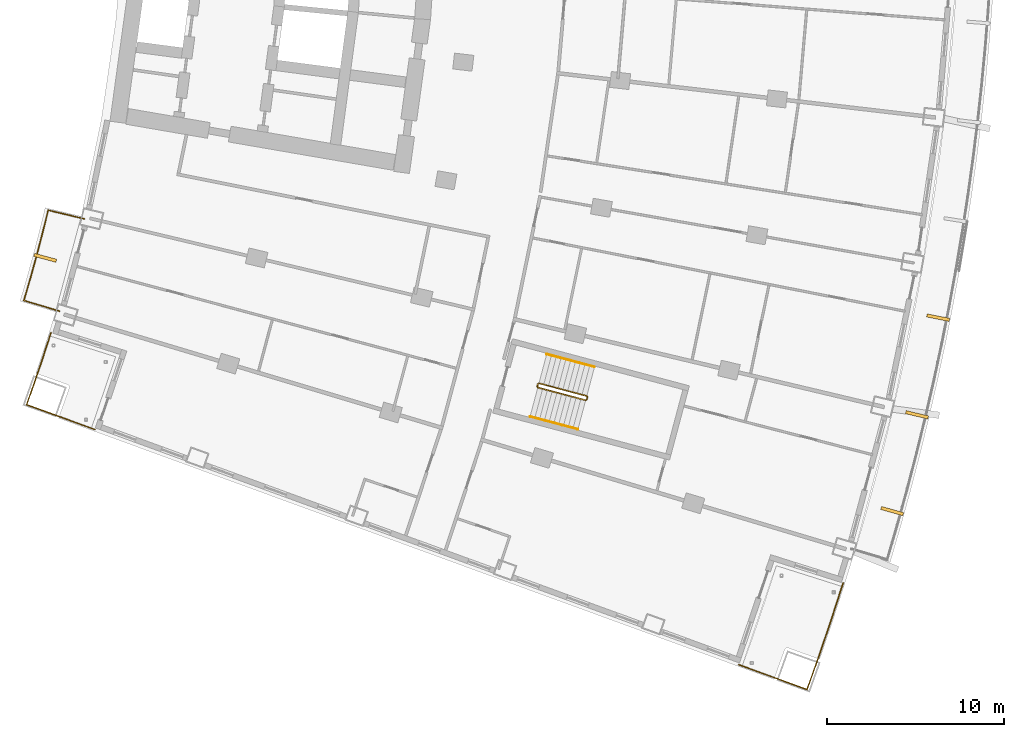
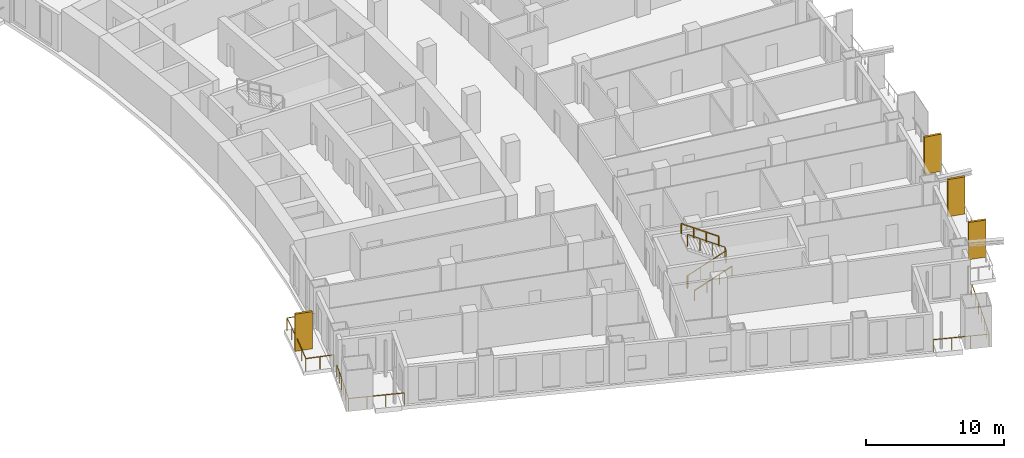
# One storey, part 23 of 25: 6 railings, 4 shading devices.
"""IFC4 building model written with IfcOpenShell, lengths in metres."""

from ifc_helpers import new_model, si_unit, direction, frame, origin, origin_2d, place, context, subcontext, project, spatial, rectangle, extrude, material, layer, layer_set, type_object, element, save


model = new_model("IFC4")

# Units and contexts
model_context = context("Model", 3, precision=1e-05, world=origin(), true_north=direction((0.0, 1.0)))
body_context = subcontext(model_context, "Body", "Model", "MODEL_VIEW")
ifc_project = project(units=[si_unit("LENGTHUNIT", "METRE"), si_unit("AREAUNIT", "SQUARE_METRE"), si_unit("VOLUMEUNIT", "CUBIC_METRE"), si_unit("PLANEANGLEUNIT", "RADIAN"), si_unit("MASSUNIT", "GRAM", prefix="KILO")], contexts=[model_context])

# Site, building, storey
site_placement = place(None, origin())
site = spatial("IfcSite", under=ifc_project, at=site_placement, CompositionType="ELEMENT")
building_placement = place(site_placement, origin())
building = spatial("IfcBuilding", under=site, at=building_placement, Name="Alderwake Tower", CompositionType="ELEMENT")
storey_placement = place(building_placement, frame((0.0, 0.0, 57.199951171875)))
storey = spatial("IfcBuildingStorey", under=building, at=storey_placement, Name="L13", CompositionType="ELEMENT", Elevation=57.199951171875)

# Railings
ifc_material_1 = material(Name="Stainless steel 316 rail and posts", Category="steel")
railing_type_1 = type_object("IfcRailingType", Name="Balcony guard 1100", PredefinedType="GUARDRAIL", material=ifc_material_1)
railing_1_placement = place(storey_placement, frame((12.16650390625, 33.435791015625, 0.0)))
element("IfcRailing", 1, at=railing_1_placement, inside=storey, type_object=railing_type_1, Name="Guard BR02", PredefinedType="GUARDRAIL", context=body_context, shape_type="SweptSolid", body=[
    extrude(rectangle(XDim=0.048095703125, YDim=0.048095703125, at=origin_2d()), frame((0.0, 0.0, 1.076171875), z_axis=(-0.958091458885, 0.286462486918, 0.0), x_axis=(-0.286462486918, -0.958091458885, 0.0)), (0.0, 0.0, 1.0), 2.099853515625),
    extrude(rectangle(XDim=0.048095703125, YDim=0.048095703125, at=origin_2d()), frame((-2.011962890625, 0.6015625, 1.076171875), z_axis=(0.279963157487, 0.960010744966, 0.0), x_axis=(-0.960010744966, 0.279963157487, 0.0)), (0.0, 0.0, 1.0), 1.272216796875),
    extrude(rectangle(XDim=0.048095703125, YDim=0.048095703125, at=origin_2d()), frame((-1.65576171875, 1.822998046875, 1.076171875), z_axis=(0.266487604617, 0.963838345671, 0.0), x_axis=(-0.963838345671, 0.266487604617, 0.0)), (0.0, 0.0, 1.0), 1.372314453125),
    extrude(rectangle(XDim=0.048095703125, YDim=0.048095703125, at=origin_2d()), frame((-1.2900390625, 3.145751953125, 1.076171875), z_axis=(0.252487086228, 0.967600264204, 0.0), x_axis=(-0.967600264204, 0.252487086228, 0.0)), (0.0, 0.0, 1.0), 1.3720703125),
    extrude(rectangle(XDim=0.048095703125, YDim=0.048095703125, at=origin_2d()), frame((-0.943603515625, 4.473388671875, 1.076171875), z_axis=(0.238877101641, 0.971049808358, 0.0), x_axis=(-0.971049808358, 0.238877101641, 0.0)), (0.0, 0.0, 1.0), 1.2724609375),
    extrude(rectangle(XDim=0.048095703125, YDim=0.048095703125, at=origin_2d()), frame((-0.6396484375, 5.708984375, 1.076171875), z_axis=(0.972646310656, -0.232291098337, 0.0), x_axis=(0.232291098337, 0.972646310656, 0.0)), (0.0, 0.0, 1.0), 2.099853515625),
    extrude(rectangle(XDim=0.0419921875, YDim=0.0419921875, at=origin_2d()), frame((0.0, 0.0, 0.0), z_axis=(0.0, 0.0, 1.0), x_axis=(-0.958091458885, 0.286462486918, 0.0)), (0.0, 0.0, 1.0), 1.052001953125),
    extrude(rectangle(XDim=0.0419921875, YDim=0.0419921875, at=origin_2d()), frame((-1.005859375, 0.30078125, 0.0), z_axis=(0.0, 0.0, 1.0), x_axis=(-0.958091458885, 0.286462486918, 0.0)), (0.0, 0.0, 1.0), 1.052001953125),
    extrude(rectangle(XDim=0.0419921875, YDim=0.0419921875, at=origin_2d()), frame((-2.011962890625, 0.6015625, 0.0), z_axis=(0.0, 0.0, 1.0), x_axis=(0.279963157487, 0.960010744966, 0.0)), (0.0, 0.0, 1.0), 1.052001953125),
    extrude(rectangle(XDim=0.0419921875, YDim=0.0419921875, at=origin_2d()), frame((-1.65576171875, 1.822998046875, 0.0), z_axis=(0.0, 0.0, 1.0), x_axis=(0.266487604617, 0.963838345671, 0.0)), (0.0, 0.0, 1.0), 1.052001953125),
    extrude(rectangle(XDim=0.0419921875, YDim=0.0419921875, at=origin_2d()), frame((-1.2900390625, 3.145751953125, 0.0), z_axis=(0.0, 0.0, 1.0), x_axis=(0.252487086228, 0.967600264204, 0.0)), (0.0, 0.0, 1.0), 1.052001953125),
    extrude(rectangle(XDim=0.0419921875, YDim=0.0419921875, at=origin_2d()), frame((-0.943603515625, 4.473388671875, 0.0), z_axis=(0.0, 0.0, 1.0), x_axis=(0.238877101641, 0.971049808358, 0.0)), (0.0, 0.0, 1.0), 1.052001953125),
    extrude(rectangle(XDim=0.0419921875, YDim=0.0419921875, at=origin_2d()), frame((-0.6396484375, 5.708984375, 0.0), z_axis=(0.0, 0.0, 1.0), x_axis=(0.972646310656, -0.232291098337, 0.0)), (0.0, 0.0, 1.0), 1.052001953125),
    extrude(rectangle(XDim=0.0419921875, YDim=0.0419921875, at=origin_2d()), frame((0.381591796875, 5.465087890625, 0.0), z_axis=(0.0, 0.0, 1.0), x_axis=(0.972646310656, -0.232291098337, 0.0)), (0.0, 0.0, 1.0), 1.052001953125),
    extrude(rectangle(XDim=0.0419921875, YDim=0.0419921875, at=origin_2d()), frame((1.40283203125, 5.22119140625, 0.0), z_axis=(0.0, 0.0, 1.0), x_axis=(0.972646310656, -0.232291098337, 0.0)), (0.0, 0.0, 1.0), 1.052001953125),
])
railing_2_placement = place(storey_placement, frame((56.501708984375, 18.048095703125, 0.0)))
element("IfcRailing", 2, at=railing_2_placement, inside=storey, type_object=railing_type_1, Name="Guard terrace FS", PredefinedType="GUARDRAIL", context=body_context, shape_type="SweptSolid", body=[
    extrude(rectangle(XDim=0.048095703125, YDim=0.048095703125, at=origin_2d()), frame((0.0, 0.0, 1.076171875), z_axis=(-0.307695208636, -0.95148497549, 0.0), x_axis=(0.95148497549, -0.307695208636, 0.0)), (0.0, 0.0, 1.0), 2.28662109375),
    extrude(rectangle(XDim=0.048095703125, YDim=0.048095703125, at=origin_2d()), frame((-0.70361328125, -2.17578125, 1.076171875), z_axis=(-0.322292794667, -0.946640034282, 0.0), x_axis=(0.946640034282, -0.322292794667, 0.0)), (0.0, 0.0, 1.0), 2.0869140625),
    extrude(rectangle(XDim=0.048095703125, YDim=0.048095703125, at=origin_2d()), frame((-1.376220703125, -4.1513671875, 1.076171875), z_axis=(-0.335736890056, -0.941955806105, 0.0), x_axis=(0.941955806105, -0.335736890056, 0.0)), (0.0, 0.0, 1.0), 1.986572265625),
    extrude(rectangle(XDim=0.048095703125, YDim=0.048095703125, at=origin_2d()), frame((-2.043212890625, -6.022705078125, 1.076171875), z_axis=(-0.939617696184, 0.342225926863, 0.0), x_axis=(-0.342225926863, -0.939617696184, 0.0)), (0.0, 0.0, 1.0), 4.099853515625),
    extrude(rectangle(XDim=0.0419921875, YDim=0.0419921875, at=origin_2d()), frame((0.0, 0.0, 0.0), z_axis=(0.0, 0.0, 1.0), x_axis=(-0.307695208636, -0.95148497549, 0.0)), (0.0, 0.0, 1.0), 1.052001953125),
    extrude(rectangle(XDim=0.0419921875, YDim=0.0419921875, at=origin_2d()), frame((-0.351806640625, -1.087890625, 0.0), z_axis=(0.0, 0.0, 1.0), x_axis=(-0.307695208636, -0.95148497549, 0.0)), (0.0, 0.0, 1.0), 1.052001953125),
    extrude(rectangle(XDim=0.0419921875, YDim=0.0419921875, at=origin_2d()), frame((-0.70361328125, -2.17578125, 0.0), z_axis=(0.0, 0.0, 1.0), x_axis=(-0.322292794667, -0.946640034282, 0.0)), (0.0, 0.0, 1.0), 1.052001953125),
    extrude(rectangle(XDim=0.0419921875, YDim=0.0419921875, at=origin_2d()), frame((-1.0400390625, -3.16357421875, 0.0), z_axis=(0.0, 0.0, 1.0), x_axis=(-0.322292794667, -0.946640034282, 0.0)), (0.0, 0.0, 1.0), 1.052001953125),
    extrude(rectangle(XDim=0.0419921875, YDim=0.0419921875, at=origin_2d()), frame((-1.376220703125, -4.1513671875, 0.0), z_axis=(0.0, 0.0, 1.0), x_axis=(-0.335736890056, -0.941955806105, 0.0)), (0.0, 0.0, 1.0), 1.052001953125),
    extrude(rectangle(XDim=0.0419921875, YDim=0.0419921875, at=origin_2d()), frame((-1.709716796875, -5.0869140625, 0.0), z_axis=(0.0, 0.0, 1.0), x_axis=(-0.335736890056, -0.941955806105, 0.0)), (0.0, 0.0, 1.0), 1.052001953125),
    extrude(rectangle(XDim=0.0419921875, YDim=0.0419921875, at=origin_2d()), frame((-2.043212890625, -6.022705078125, 0.0), z_axis=(0.0, 0.0, 1.0), x_axis=(-0.939617696184, 0.342225926863, 0.0)), (0.0, 0.0, 1.0), 1.052001953125),
    extrude(rectangle(XDim=0.0419921875, YDim=0.0419921875, at=origin_2d()), frame((-3.327392578125, -5.554931640625, 0.0), z_axis=(0.0, 0.0, 1.0), x_axis=(-0.939617696184, 0.342225926863, 0.0)), (0.0, 0.0, 1.0), 1.052001953125),
    extrude(rectangle(XDim=0.0419921875, YDim=0.0419921875, at=origin_2d()), frame((-4.611328125, -5.08740234375, 0.0), z_axis=(0.0, 0.0, 1.0), x_axis=(-0.939617696184, 0.342225926863, 0.0)), (0.0, 0.0, 1.0), 1.052001953125),
    extrude(rectangle(XDim=0.0419921875, YDim=0.0419921875, at=origin_2d()), frame((-5.8955078125, -4.61962890625, 0.0), z_axis=(0.0, 0.0, 1.0), x_axis=(-0.939617696184, 0.342225926863, 0.0)), (0.0, 0.0, 1.0), 1.052001953125),
])
railing_3_placement = place(storey_placement, frame((11.688720703125, 32.218017578125, 0.0)))
element("IfcRailing", 3, at=railing_3_placement, inside=storey, type_object=railing_type_1, Name="Guard terrace RS", PredefinedType="GUARDRAIL", context=body_context, shape_type="SweptSolid", body=[
    extrude(rectangle(XDim=0.048095703125, YDim=0.048095703125, at=origin_2d()), frame((0.0, 0.0, 1.076171875), z_axis=(-0.307479326145, -0.951554761426, 0.0), x_axis=(0.951554761426, -0.307479326145, 0.0)), (0.0, 0.0, 1.0), 1.6015625),
    extrude(rectangle(XDim=0.048095703125, YDim=0.048095703125, at=origin_2d()), frame((-0.492431640625, -1.52392578125, 1.076171875), z_axis=(-0.322283727344, -0.946643121292, 0.0), x_axis=(0.946643121292, -0.322283727344, 0.0)), (0.0, 0.0, 1.0), 1.4013671875),
    extrude(rectangle(XDim=0.048095703125, YDim=0.048095703125, at=origin_2d()), frame((-0.944091796875, -2.8505859375, 1.076171875), z_axis=(-0.335468607403, -0.942051385778, 0.0), x_axis=(0.942051385778, -0.335468607403, 0.0)), (0.0, 0.0, 1.0), 1.30126953125),
    extrude(rectangle(XDim=0.048095703125, YDim=0.048095703125, at=origin_2d()), frame((-1.380615234375, -4.076416015625, 1.076171875), z_axis=(0.939708203232, -0.341977327873, 0.0), x_axis=(0.341977327873, 0.939708203232, 0.0)), (0.0, 0.0, 1.0), 4.10009765625),
    extrude(rectangle(XDim=0.0419921875, YDim=0.0419921875, at=origin_2d()), frame((0.0, 0.0, 0.0), z_axis=(0.0, 0.0, 1.0), x_axis=(-0.307479326145, -0.951554761426, 0.0)), (0.0, 0.0, 1.0), 1.052001953125),
    extrude(rectangle(XDim=0.0419921875, YDim=0.0419921875, at=origin_2d()), frame((-0.24609375, -0.761962890625, 0.0), z_axis=(0.0, 0.0, 1.0), x_axis=(-0.307479326145, -0.951554761426, 0.0)), (0.0, 0.0, 1.0), 1.052001953125),
    extrude(rectangle(XDim=0.0419921875, YDim=0.0419921875, at=origin_2d()), frame((-0.492431640625, -1.52392578125, 0.0), z_axis=(0.0, 0.0, 1.0), x_axis=(-0.322283727344, -0.946643121292, 0.0)), (0.0, 0.0, 1.0), 1.052001953125),
    extrude(rectangle(XDim=0.0419921875, YDim=0.0419921875, at=origin_2d()), frame((-0.71826171875, -2.187255859375, 0.0), z_axis=(0.0, 0.0, 1.0), x_axis=(-0.322283727344, -0.946643121292, 0.0)), (0.0, 0.0, 1.0), 1.052001953125),
    extrude(rectangle(XDim=0.0419921875, YDim=0.0419921875, at=origin_2d()), frame((-0.944091796875, -2.8505859375, 0.0), z_axis=(0.0, 0.0, 1.0), x_axis=(-0.335468607403, -0.942051385778, 0.0)), (0.0, 0.0, 1.0), 1.052001953125),
    extrude(rectangle(XDim=0.0419921875, YDim=0.0419921875, at=origin_2d()), frame((-1.380615234375, -4.076416015625, 0.0), z_axis=(0.0, 0.0, 1.0), x_axis=(0.939708203232, -0.341977327873, 0.0)), (0.0, 0.0, 1.0), 1.052001953125),
    extrude(rectangle(XDim=0.0419921875, YDim=0.0419921875, at=origin_2d()), frame((-0.096435546875, -4.543701171875, 0.0), z_axis=(0.0, 0.0, 1.0), x_axis=(0.939708203232, -0.341977327873, 0.0)), (0.0, 0.0, 1.0), 1.052001953125),
    extrude(rectangle(XDim=0.0419921875, YDim=0.0419921875, at=origin_2d()), frame((1.18798828125, -5.01123046875, 0.0), z_axis=(0.0, 0.0, 1.0), x_axis=(0.939708203232, -0.341977327873, 0.0)), (0.0, 0.0, 1.0), 1.052001953125),
    extrude(rectangle(XDim=0.0419921875, YDim=0.0419921875, at=origin_2d()), frame((2.47216796875, -5.478515625, 0.0), z_axis=(0.0, 0.0, 1.0), x_axis=(0.939708203232, -0.341977327873, 0.0)), (0.0, 0.0, 1.0), 1.052001953125),
])

# Shading devices
ifc_material_2 = material(Name="Bronze anodised aluminium", Category="aluminium")
ifc_layer = layer(ifc_material_2, 0.179931640625)
ifc_layer_set = layer_set([ifc_layer], Name="Facade fin 1300")
shading_device_type = type_object("IfcShadingDeviceType", Name="Facade fin 1300", PredefinedType="USERDEFINED", material=ifc_layer_set)
for number, where, z_axis, x_axis, name in (
    (4, (59.276123046875, 22.1240234375, 0.0), (0.0, 0.0, 1.0), (0.96318180783, -0.268850897459, 0.0), "Fin"),
    (5, (60.6826171875, 27.570068359375, 0.0), (0.0, 0.0, 1.0), (0.972908790564, -0.231189284448, 0.0), "Fin"),
    (6, (61.876220703125, 33.06640625, 0.0), (0.0, 0.0, 1.0), (0.981163751315, -0.193177879441, 0.0), "Fin"),
    (7, (11.359375, 36.45166015625, 0.0), (0.0, 0.0, 1.0), (0.965744448231, -0.259495010957, 0.0), "Fin"),
):
    element("IfcShadingDevice", number, at=place(storey_placement, frame(where, z_axis=z_axis, x_axis=x_axis)), inside=storey, type_object=shading_device_type, Name=name, ObjectType="FIN", PredefinedType="USERDEFINED", context=body_context, shape_type="SweptSolid", body=[
        extrude(rectangle(XDim=1.300048828125, YDim=0.179931640625, at=origin_2d()), origin(), (0.0, 0.0, 1.0), 3.280029296875),
    ])

# Railings
ifc_material_3 = material(Name="Stainless steel guard", Category="steel")
railing_type_2 = type_object("IfcRailingType", Name="Stair guard 1100", PredefinedType="GUARDRAIL", material=ifc_material_3)
railing_4_placement = place(storey_placement, frame((39.1943359375, 29.17431640625, 0.0)))
element("IfcRailing", 8, at=railing_4_placement, inside=storey, type_object=railing_type_2, Name="L13 ST-C stair guard 1", PredefinedType="GUARDRAIL", context=body_context, shape_type="SweptSolid", body=[
    extrude(rectangle(XDim=0.048095703125, YDim=0.048095703125, at=origin_2d()), frame((0.0, 0.0, 1.076171875), z_axis=(0.257459803502, 0.966289009345, 0.0), x_axis=(-0.966289009345, 0.257459803502, 0.0)), (0.0, 0.0, 1.0), 0.14990234375),
    extrude(rectangle(XDim=0.048095703125, YDim=0.048095703125, at=origin_2d()), frame((0.03857421875, 0.144775390625, 1.076171875), z_axis=(-0.012062893862, -0.783160186125, 0.621702991355), x_axis=(0.999881397308, -0.015401016783, 0.0)), (0.0, 0.0, 1.0), 0.26318359375),
    extrude(rectangle(XDim=0.048095703125, YDim=0.048095703125, at=origin_2d()), frame((0.035400390625, -0.061279296875, 1.23974609375), z_axis=(0.834281824786, -0.222214197128, 0.504573768072), x_axis=(0.257380452725, 0.966310148221, 0.0)), (0.0, 0.0, 1.0), 3.2431640625),
    extrude(rectangle(XDim=0.048095703125, YDim=0.048095703125, at=origin_2d()), frame((2.7412109375, -0.781982421875, 2.8759765625), z_axis=(0.865031189262, 0.501718089772, 0.0), x_axis=(-0.501718089772, 0.865031189262, 0.0)), (0.0, 0.0, 1.0), 0.070556640625),
    extrude(rectangle(XDim=0.048095703125, YDim=0.048095703125, at=origin_2d()), frame((2.80224609375, -0.74658203125, 2.8759765625), z_axis=(0.257055032184, 0.966396766566, 0.0), x_axis=(-0.966396766566, 0.257055032184, 0.0)), (0.0, 0.0, 1.0), 0.150146484375),
    extrude(rectangle(XDim=0.048095703125, YDim=0.048095703125, at=origin_2d()), frame((2.8408203125, -0.6015625, 2.8759765625), z_axis=(-0.198625291617, 0.343827228937, 0.91778583023), x_axis=(-0.865898279276, -0.500220121494, 0.0)), (0.0, 0.0, 1.0), 0.17822265625),
    extrude(rectangle(XDim=0.048095703125, YDim=0.048095703125, at=origin_2d()), frame((2.805419921875, -0.540283203125, 3.03955078125), z_axis=(-0.834258940753, 0.22222815314, 0.504605457487), x_axis=(-0.257402139082, -0.966304371715, 0.0)), (0.0, 0.0, 1.0), 3.2431640625),
    extrude(rectangle(XDim=0.0419921875, YDim=0.0419921875, at=origin_2d()), frame((0.0, 0.0, 0.0), z_axis=(0.0, 0.0, 1.0), x_axis=(0.257459803502, 0.966289009345, 0.0)), (0.0, 0.0, 1.0), 1.052001953125),
    extrude(rectangle(XDim=0.0419921875, YDim=0.0419921875, at=origin_2d()), frame((0.03857421875, 0.144775390625, 0.0), z_axis=(0.0, 0.0, 1.0), x_axis=(-0.015401016783, -0.999881397308, 0.0)), (0.0, 0.0, 1.0), 1.052001953125),
    extrude(rectangle(XDim=0.0419921875, YDim=0.0419921875, at=origin_2d()), frame((0.035400390625, -0.061279296875, 0.16357421875), z_axis=(0.0, 0.0, 1.0), x_axis=(0.966310148221, -0.257380452725, 0.0)), (0.0, 0.0, 1.0), 1.052001953125),
    extrude(rectangle(XDim=0.0419921875, YDim=0.0419921875, at=origin_2d()), frame((0.937255859375, -0.301513671875, 0.708984375), z_axis=(0.0, 0.0, 1.0), x_axis=(0.966310148221, -0.257380452725, 0.0)), (0.0, 0.0, 1.0), 1.052001953125),
    extrude(rectangle(XDim=0.0419921875, YDim=0.0419921875, at=origin_2d()), frame((1.83935546875, -0.541748046875, 1.254638671875), z_axis=(0.0, 0.0, 1.0), x_axis=(0.966310148221, -0.257380452725, 0.0)), (0.0, 0.0, 1.0), 1.052001953125),
    extrude(rectangle(XDim=0.0419921875, YDim=0.0419921875, at=origin_2d()), frame((2.7412109375, -0.781982421875, 1.800048828125), z_axis=(0.0, 0.0, 1.0), x_axis=(0.865031189262, 0.501718089772, 0.0)), (0.0, 0.0, 1.0), 1.052001953125),
    extrude(rectangle(XDim=0.0419921875, YDim=0.0419921875, at=origin_2d()), frame((2.80224609375, -0.74658203125, 1.800048828125), z_axis=(0.0, 0.0, 1.0), x_axis=(0.257055032184, 0.966396766566, 0.0)), (0.0, 0.0, 1.0), 1.052001953125),
    extrude(rectangle(XDim=0.0419921875, YDim=0.0419921875, at=origin_2d()), frame((2.8408203125, -0.6015625, 1.800048828125), z_axis=(0.0, 0.0, 1.0), x_axis=(-0.500220121494, 0.865898279276, 0.0)), (0.0, 0.0, 1.0), 1.052001953125),
    extrude(rectangle(XDim=0.0419921875, YDim=0.0419921875, at=origin_2d()), frame((2.805419921875, -0.540283203125, 1.963623046875), z_axis=(0.0, 0.0, 1.0), x_axis=(-0.966304371715, 0.257402139082, 0.0)), (0.0, 0.0, 1.0), 1.052001953125),
    extrude(rectangle(XDim=0.0419921875, YDim=0.0419921875, at=origin_2d()), frame((1.903564453125, -0.300048828125, 2.509033203125), z_axis=(0.0, 0.0, 1.0), x_axis=(-0.966304371715, 0.257402139082, 0.0)), (0.0, 0.0, 1.0), 1.052001953125),
    extrude(rectangle(XDim=0.0419921875, YDim=0.0419921875, at=origin_2d()), frame((1.001708984375, -0.059814453125, 3.0546875), z_axis=(0.0, 0.0, 1.0), x_axis=(-0.966304371715, 0.257402139082, 0.0)), (0.0, 0.0, 1.0), 1.052001953125),
    extrude(rectangle(XDim=0.0419921875, YDim=0.0419921875, at=origin_2d()), frame((0.099853515625, 0.180419921875, 3.60009765625), z_axis=(0.0, 0.0, 1.0), x_axis=(-0.966304371715, 0.257402139082, 0.0)), (0.0, 0.0, 1.0), 1.052001953125),
])
ifc_material_4 = material(Name="Stainless steel handrail", Category="steel")
railing_type_3 = type_object("IfcRailingType", Name="Stair handrail 900", PredefinedType="HANDRAIL", material=ifc_material_4)
railing_5_placement = place(storey_placement, frame((38.792236328125, 27.47021484375, 0.16357421875)))
element("IfcRailing", 9, at=railing_5_placement, inside=storey, type_object=railing_type_3, Name="L13 ST-C stair handrail 1", PredefinedType="HANDRAIL", context=body_context, shape_type="SweptSolid", body=[
    extrude(rectangle(XDim=0.048095703125, YDim=0.048095703125, at=origin_2d()), frame((0.0, 0.0, 0.8759765625), z_axis=(0.834272895437, -0.222156588561, 0.504613898043), x_axis=(0.25732071773, 0.966326056891, 0.0)), (0.0, 0.0, 1.0), 3.242919921875),
    extrude(rectangle(XDim=0.0419921875, YDim=0.0419921875, at=origin_2d()), frame((0.0, 0.0, 0.0), z_axis=(0.0, 0.0, 1.0), x_axis=(0.966326056891, -0.25732071773, 0.0)), (0.0, 0.0, 1.0), 0.851806640625),
    extrude(rectangle(XDim=0.0419921875, YDim=0.0419921875, at=origin_2d()), frame((0.90185546875, -0.240234375, 0.54541015625), z_axis=(0.0, 0.0, 1.0), x_axis=(0.966326056891, -0.25732071773, 0.0)), (0.0, 0.0, 1.0), 0.851806640625),
    extrude(rectangle(XDim=0.0419921875, YDim=0.0419921875, at=origin_2d()), frame((1.8037109375, -0.480224609375, 1.091064453125), z_axis=(0.0, 0.0, 1.0), x_axis=(0.966326056891, -0.25732071773, 0.0)), (0.0, 0.0, 1.0), 0.851806640625),
    extrude(rectangle(XDim=0.0419921875, YDim=0.0419921875, at=origin_2d()), frame((2.70556640625, -0.720458984375, 1.636474609375), z_axis=(0.0, 0.0, 1.0), x_axis=(0.966326056891, -0.25732071773, 0.0)), (0.0, 0.0, 1.0), 0.851806640625),
])
railing_6_placement = place(storey_placement, frame((42.437255859375, 30.276611328125, 1.963623046875)))
element("IfcRailing", 10, at=railing_6_placement, inside=storey, type_object=railing_type_3, Name="L13 ST-C stair handrail 2", PredefinedType="HANDRAIL", context=body_context, shape_type="SweptSolid", body=[
    extrude(rectangle(XDim=0.048095703125, YDim=0.048095703125, at=origin_2d()), frame((0.0, 0.0, 0.8759765625), z_axis=(-0.834258940753, 0.22222815314, 0.504605457487), x_axis=(-0.257402139082, -0.966304371715, 0.0)), (0.0, 0.0, 1.0), 3.2431640625),
    extrude(rectangle(XDim=0.0419921875, YDim=0.0419921875, at=origin_2d()), frame((0.0, 0.0, 0.0), z_axis=(0.0, 0.0, 1.0), x_axis=(-0.966304371715, 0.257402139082, 0.0)), (0.0, 0.0, 1.0), 0.851806640625),
    extrude(rectangle(XDim=0.0419921875, YDim=0.0419921875, at=origin_2d()), frame((-0.90185546875, 0.240234375, 0.54541015625), z_axis=(0.0, 0.0, 1.0), x_axis=(-0.966304371715, 0.257402139082, 0.0)), (0.0, 0.0, 1.0), 0.851806640625),
    extrude(rectangle(XDim=0.0419921875, YDim=0.0419921875, at=origin_2d()), frame((-1.8037109375, 0.48046875, 1.091064453125), z_axis=(0.0, 0.0, 1.0), x_axis=(-0.966304371715, 0.257402139082, 0.0)), (0.0, 0.0, 1.0), 0.851806640625),
    extrude(rectangle(XDim=0.0419921875, YDim=0.0419921875, at=origin_2d()), frame((-2.70556640625, 0.720703125, 1.636474609375), z_axis=(0.0, 0.0, 1.0), x_axis=(-0.966304371715, 0.257402139082, 0.0)), (0.0, 0.0, 1.0), 0.851806640625),
])

save(model, "model.ifc")
